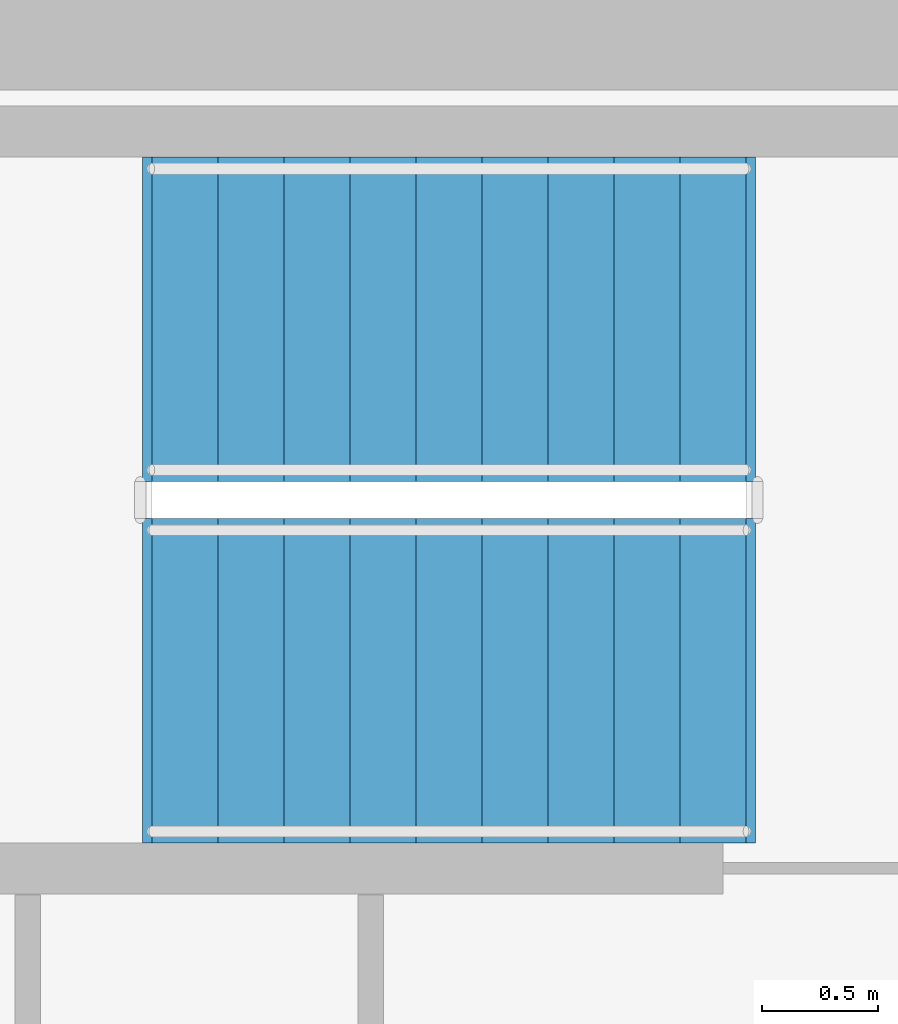
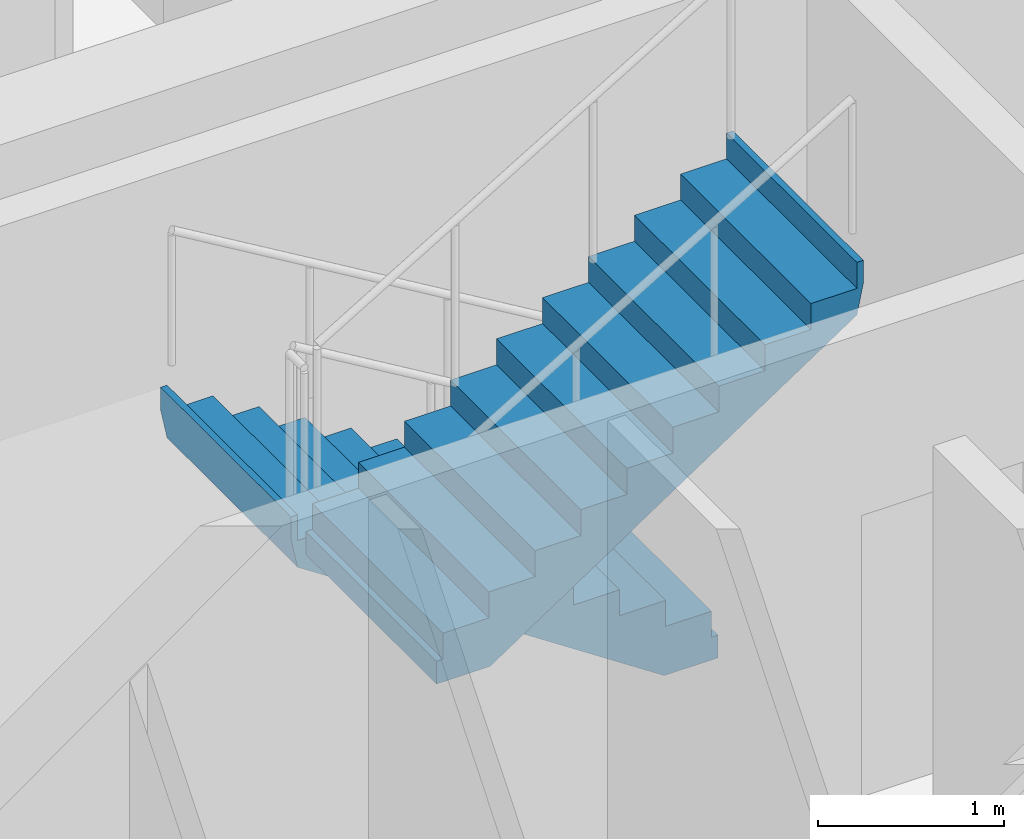
# One storey, part 13 of 14: 2 stair flights, 1 element without a shape of its own.
"""IFC4 building model written with IfcOpenShell, lengths in metres."""

from ifc_helpers import new_model, si_unit, direction, frame, origin, place, context, subcontext, project, spatial, polyline, outline, extrude, material, type_object, element, aggregate, save


model = new_model("IFC4")

# Units and contexts
model_context = context("Model", 3, precision=1e-05, world=origin(), true_north=direction((0.0, 1.0)))
body_context = subcontext(model_context, "Body", "Model", "MODEL_VIEW")
ifc_project = project(units=[si_unit("LENGTHUNIT", "METRE"), si_unit("AREAUNIT", "SQUARE_METRE"), si_unit("VOLUMEUNIT", "CUBIC_METRE"), si_unit("PLANEANGLEUNIT", "RADIAN"), si_unit("MASSUNIT", "GRAM", prefix="KILO")], contexts=[model_context])

# Site, building, storey
site_placement = place(None, origin())
site = spatial("IfcSite", under=ifc_project, at=site_placement, CompositionType="ELEMENT")
building_placement = place(site_placement, origin())
building = spatial("IfcBuilding", under=site, at=building_placement, Name="Durnholm Broadcast Tower", CompositionType="ELEMENT")
storey_placement = place(building_placement, frame((0.0, 0.0, 261.5)))
storey = spatial("IfcBuildingStorey", under=building, at=storey_placement, Name="L73", CompositionType="ELEMENT", Elevation=261.5)

# Stair, stair flights
ifc_material = material(Name="Concrete C50/60", Category="concrete")
stair_type = type_object("IfcStairType", Name="STAIR-DL-20R1700", PredefinedType="HALF_TURN_STAIR", material=ifc_material)
stair_placement = place(storey_placement, origin())
stair = element("IfcStair", 1, at=stair_placement, inside=storey, type_object=stair_type, Name="L73 ST-3", PredefinedType="HALF_TURN_STAIR")
stair_flight_type = type_object("IfcStairFlightType", Name="FLIGHT-DL-20R1700", PredefinedType="STRAIGHT", material=ifc_material)
stair_flight_1_placement = place(storey_placement, frame((0.699951171875, 6.860107421875, 0.0), z_axis=(0.0, 0.0, 1.0), x_axis=(-1.0, 0.0, 0.0)))
stair_flight_1 = element("IfcStairFlight", 2, at=stair_flight_1_placement, type_object=stair_flight_type, Name="ST-3 flight 1", NumberOfRisers=10, NumberOfTreads=9, PredefinedType="STRAIGHT", RiserHeight=0.17, TreadLength=0.285, context=body_context, shape_type="SweptSolid", body=[
    extrude(outline(polyline([(-0.0400390625, -0.14990234375), (-0.0400390625, 0.0), (0.0, 0.0), (0.0, 0.169921875), (0.284912109375, 0.169921875), (0.284912109375, 0.340087890625), (0.570068359375, 0.340087890625), (0.570068359375, 0.510009765625), (0.85498046875, 0.510009765625), (0.85498046875, 0.679931640625), (1.139892578125, 0.679931640625), (1.139892578125, 0.85009765625), (1.425048828125, 0.85009765625), (1.425048828125, 1.02001953125), (1.7099609375, 1.02001953125), (1.7099609375, 1.18994140625), (1.9951171875, 1.18994140625), (1.9951171875, 1.360107421875), (2.280029296875, 1.360107421875), (2.280029296875, 1.530029296875), (2.56494140625, 1.530029296875), (2.56494140625, 1.699951171875), (2.60498046875, 1.699951171875), (2.60498046875, 1.550048828125), (2.56494140625, 1.35546875), (0.292724609375, -0.14990234375), (-0.0400390625, -0.14990234375)])), frame((0.0, 0.699951171875, 0.0), z_axis=(0.0, -1.0, 0.0), x_axis=(1.0, 0.0, 0.0)), (0.0, 0.0, 1.0), 1.39990234375),
])
stair_flight_2_placement = place(storey_placement, frame((-1.864990234375, 5.300048828125, 1.699951171875), z_axis=(0.0, 0.0, 1.0), x_axis=(1.0, 0.0, 0.0)))
stair_flight_2 = element("IfcStairFlight", 3, at=stair_flight_2_placement, type_object=stair_flight_type, Name="ST-3 flight 2", NumberOfRisers=10, NumberOfTreads=9, PredefinedType="STRAIGHT", RiserHeight=0.17, TreadLength=0.285, context=body_context, shape_type="SweptSolid", body=[
    extrude(outline(polyline([(-0.0400390625, -0.14990234375), (-0.0400390625, 0.0), (0.0, 0.0), (0.0, 0.169921875), (0.284912109375, 0.169921875), (0.284912109375, 0.340087890625), (0.570068359375, 0.340087890625), (0.570068359375, 0.510009765625), (0.85498046875, 0.510009765625), (0.85498046875, 0.679931640625), (1.139892578125, 0.679931640625), (1.139892578125, 0.85009765625), (1.425048828125, 0.85009765625), (1.425048828125, 1.02001953125), (1.7099609375, 1.02001953125), (1.7099609375, 1.18994140625), (1.9951171875, 1.18994140625), (1.9951171875, 1.360107421875), (2.280029296875, 1.360107421875), (2.280029296875, 1.530029296875), (2.56494140625, 1.530029296875), (2.56494140625, 1.699951171875), (2.60498046875, 1.699951171875), (2.60498046875, 1.550048828125), (2.56494140625, 1.35546875), (0.292724609375, -0.14990234375), (-0.0400390625, -0.14990234375)])), frame((0.0, 0.699951171875, 0.0), z_axis=(0.0, -1.0, 0.0), x_axis=(1.0, 0.0, 0.0)), (0.0, 0.0, 1.0), 1.39990234375),
])
aggregate(stair, [stair_flight_1, stair_flight_2])

save(model, "model.ifc")
